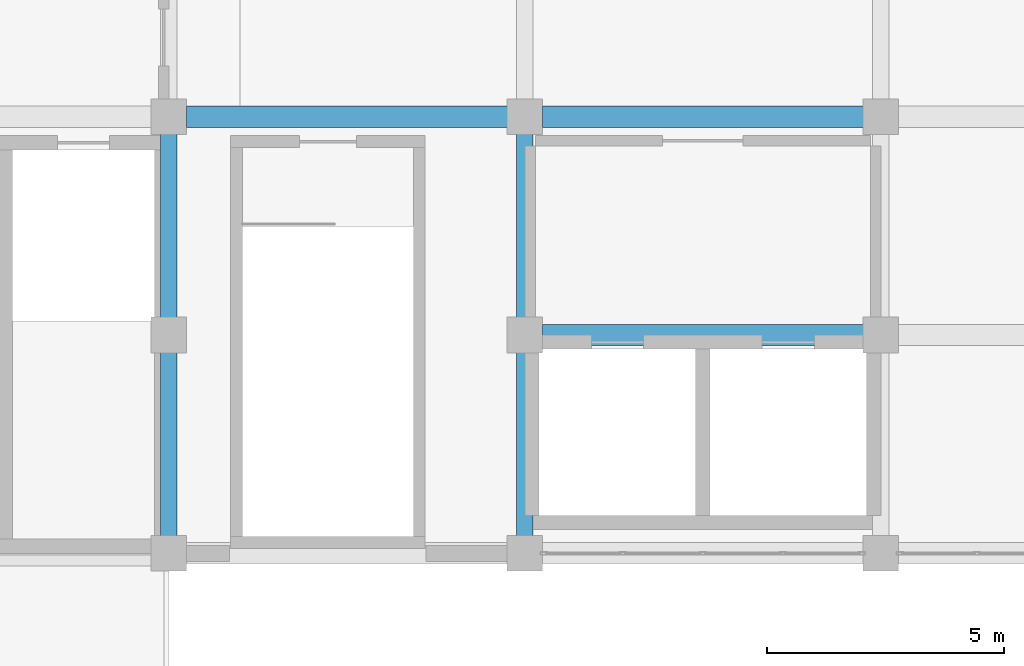
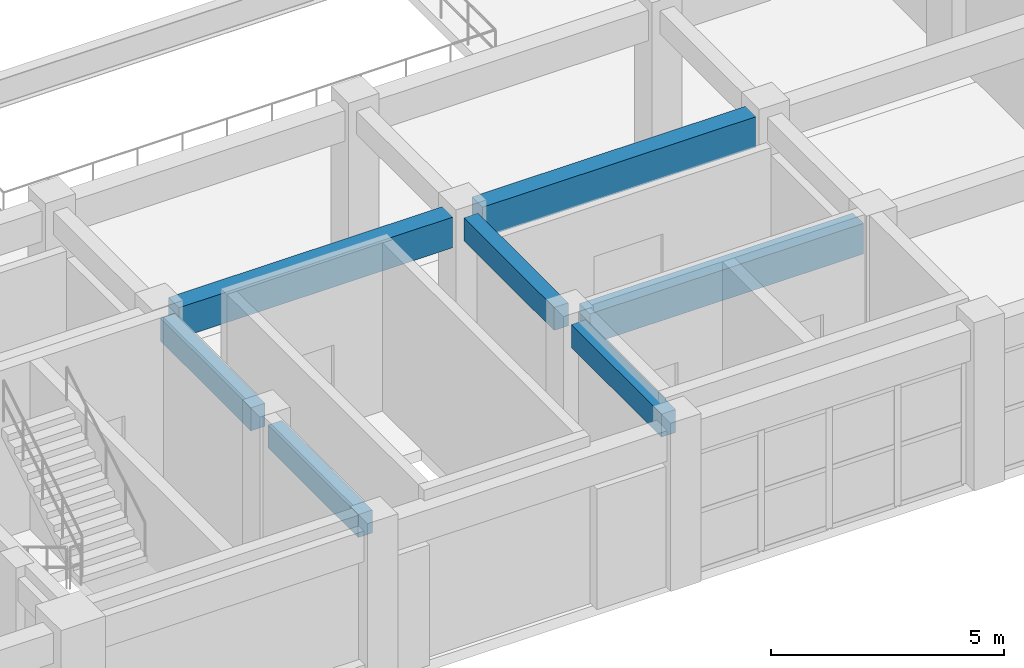
# One storey, part 9 of 90: 7 beams.
"""IFC4 building model written with IfcOpenShell, lengths in metres."""

from ifc_helpers import new_model, si_unit, direction, frame, origin, origin_2d, place, context, subcontext, project, spatial, rectangle, extrude, material, material_profile, profile_set, type_object, element, save


model = new_model("IFC4")

# Units and contexts
model_context = context("Model", 3, precision=1e-05, world=origin(), true_north=direction((0.0, 1.0)))
body_context = subcontext(model_context, "Body", "Model", "MODEL_VIEW")
ifc_project = project(units=[si_unit("LENGTHUNIT", "METRE"), si_unit("AREAUNIT", "SQUARE_METRE"), si_unit("VOLUMEUNIT", "CUBIC_METRE"), si_unit("PLANEANGLEUNIT", "RADIAN"), si_unit("MASSUNIT", "GRAM", prefix="KILO")], contexts=[model_context])

# Site, building, storey
site_placement = place(None, origin())
site = spatial("IfcSite", under=ifc_project, at=site_placement, CompositionType="ELEMENT")
building_placement = place(site_placement, origin())
building = spatial("IfcBuilding", under=site, at=building_placement, Name="Muzn Square Opera House", CompositionType="ELEMENT")
storey_placement = place(building_placement, frame((0.0, 0.0, 9.800048828125)))
storey = spatial("IfcBuildingStorey", under=building, at=storey_placement, Name="L02", CompositionType="ELEMENT", Elevation=9.800048828125)

# Beams
ifc_material = material(Name="Concrete C40/50", Category="concrete")
ifc_material_profile_1 = material_profile(ifc_material, rectangle(XDim=0.35009765625, YDim=0.60009765625, at=origin_2d()), Name="RCB 350x600", Category="concrete")
ifc_profile_set_1 = profile_set([ifc_material_profile_1], Name="Concrete C40/50")
beam_type_1 = type_object("IfcBeamType", Name="Primary Girder 350x600", PredefinedType="BEAM", material=ifc_profile_set_1)
for number, where, z_axis, x_axis, name in (
    (1, (50.5, 22.366943359375, 3.820068359375), (0.0, 1.0, 0.0), (-1.0, 0.0, 0.0), "Primary Girder BM-L02-BM-PG600-505_224_505_262-2168"),
    (2, (50.5, 26.967041015625, 3.820068359375), (0.0, 1.0, 0.0), (-1.0, 0.0, 0.0), "Primary Girder BM-L02-BM-PG600-505_270_505_308-2169"),
    (3, (58.0, 22.366943359375, 3.820068359375), (0.0, 1.0, 0.0), (-1.0, 0.0, 0.0), "Primary Girder BM-L02-BM-PG600-580_224_580_262-2177"),
    (4, (58.0, 26.967041015625, 3.820068359375), (0.0, 1.0, 0.0), (-1.0, 0.0, 0.0), "Primary Girder BM-L02-BM-PG600-580_270_580_308-2178"),
):
    element("IfcBeam", number, at=place(storey_placement, frame(where, z_axis=z_axis, x_axis=x_axis)), inside=storey, type_object=beam_type_1, Name=name, PredefinedType="BEAM", context=body_context, shape_type="SweptSolid", body=[
        extrude(rectangle(XDim=0.35009765625, YDim=0.60009765625, at=origin_2d()), origin(), (0.0, 0.0, 1.0), 3.865966796875),
    ])
ifc_material_profile_2 = material_profile(ifc_material, rectangle(XDim=0.449951171875, YDim=0.800048828125, at=origin_2d()), Name="RCB 450x800", Category="concrete")
ifc_profile_set_2 = profile_set([ifc_material_profile_2], Name="Concrete C40/50")
beam_type_2 = type_object("IfcBeamType", Name="Primary Girder 450x800", PredefinedType="BEAM", material=ifc_profile_set_2)
for number, where, z_axis, x_axis, name in (
    (5, (58.366943359375, 26.60009765625, 3.719970703125), (1.0, 0.0, 0.0), (0.0, 1.0, 0.0), "Primary Girder BM-L02-BM-PG800-584_266_651_266-1969"),
    (6, (50.866943359375, 31.199951171875, 3.719970703125), (1.0, 0.0, 0.0), (0.0, 1.0, 0.0), "Primary Girder BM-L02-BM-PG800-509_312_576_312-1985"),
    (7, (58.366943359375, 31.199951171875, 3.719970703125), (1.0, 0.0, 0.0), (0.0, 1.0, 0.0), "Primary Girder BM-L02-BM-PG800-584_312_651_312-1986"),
):
    element("IfcBeam", number, at=place(storey_placement, frame(where, z_axis=z_axis, x_axis=x_axis)), inside=storey, type_object=beam_type_2, Name=name, PredefinedType="BEAM", context=body_context, shape_type="SweptSolid", body=[
        extrude(rectangle(XDim=0.449951171875, YDim=0.800048828125, at=origin_2d()), origin(), (0.0, 0.0, 1.0), 6.76611328125),
    ])

save(model, "model.ifc")
